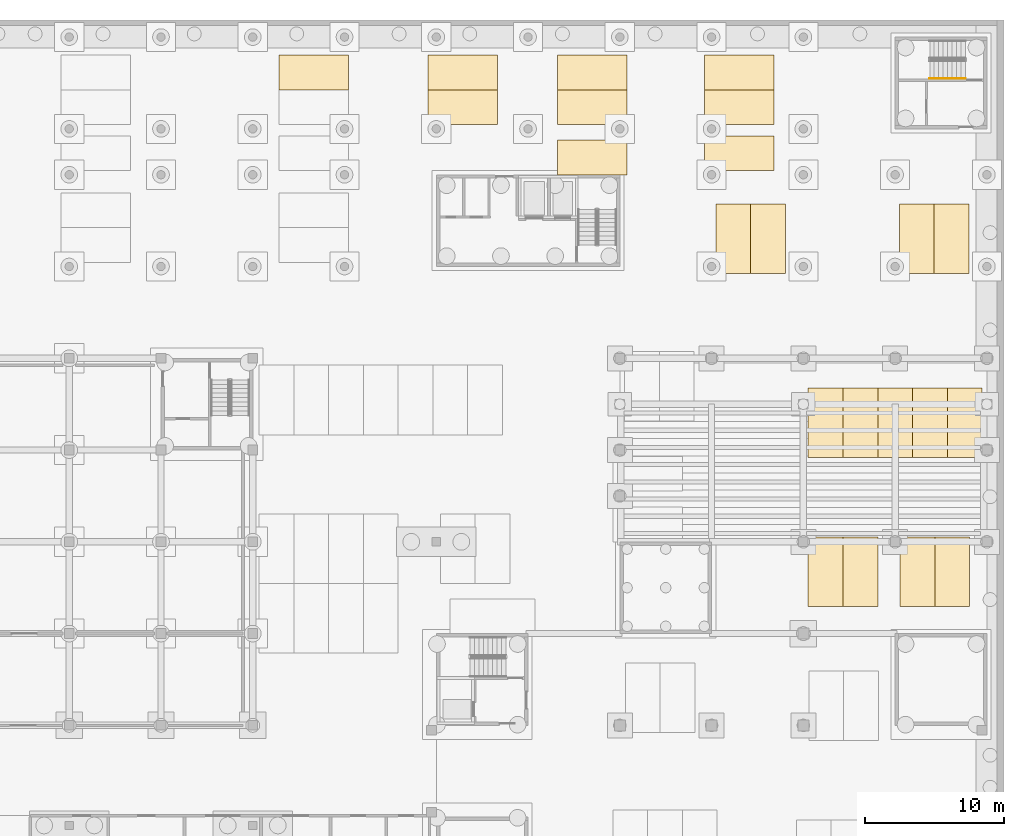
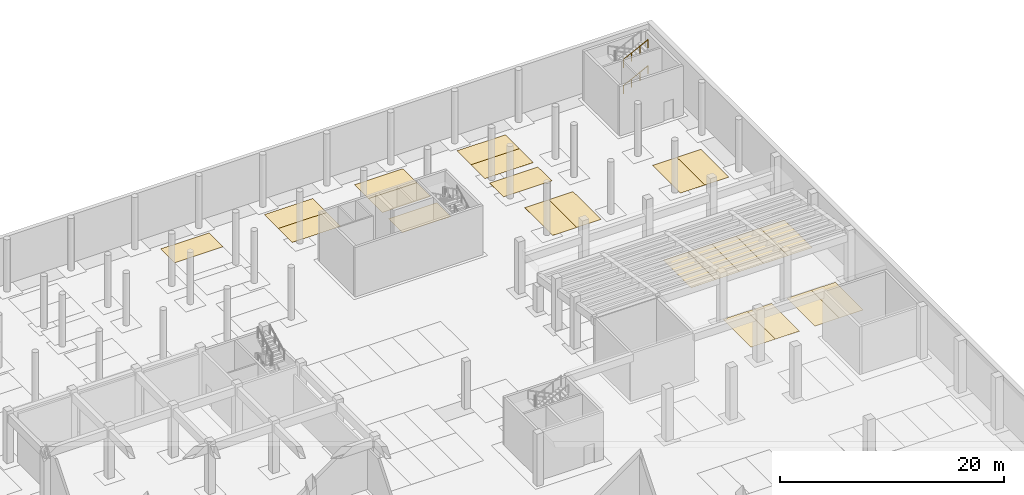
# One storey, part 36 of 38: 22 coverings, 2 railings.
"""IFC4 building model written with IfcOpenShell, lengths in metres."""

import ifcopenshell
import ifcopenshell.guid

model = None  # the IFC model being written
_history = None  # IfcOwnerHistory: only IFC2X3 demands one
_inside = {}  # id of a spatial element -> (the spatial element, [elements in it])
_under = {}  # id of a project, library or spatial element -> (it, [spatial elements below it])
_declared = {}  # id of a project -> (the project, [libraries it declares])
_typed = {}  # id of a type object -> (the type object, [elements of that type])
_made_of = {}  # id of a material, layer set ... -> (it, [elements and type objects made of it])


def new_model(schema):
    """Start an empty IFC model of exactly this schema.

    Asked for "IFC4X3", IfcOpenShell would pick the latest addendum, in which some entities
    have other attributes; the version numbers below select the first issue.
    IFC2X3 requires an IfcOwnerHistory on every rooted entity: one is made here for all.
    """
    global model, _history
    if schema == "IFC4X3":
        model = ifcopenshell.file(schema_version=(4, 3, 0, 0))
    else:
        model = ifcopenshell.file(schema=schema)
    _inside.clear()
    _under.clear()
    _declared.clear()
    _typed.clear()
    _made_of.clear()
    _history = None
    if model.schema == "IFC2X3":
        org = make("IfcOrganization", Name="unknown")
        user = make(
            "IfcPersonAndOrganization",
            ThePerson=make("IfcPerson", FamilyName="unknown"),
            TheOrganization=org,
        )
        app = make(
            "IfcApplication",
            ApplicationDeveloper=org,
            Version="unknown",
            ApplicationFullName="unknown",
            ApplicationIdentifier="unknown",
        )
        _history = make(
            "IfcOwnerHistory",
            OwningUser=user,
            OwningApplication=app,
            ChangeAction="ADDED",
            CreationDate=0,
        )
    return model


def make(cls, **values):
    """One entity of the class cls with the attributes given. An attribute that is None is left unset."""
    return model.create_entity(
        cls, **{name: value for name, value in values.items() if value is not None}
    )


def rooted(cls, **values):
    """An entity with a GlobalId (a new one), such as an element, a storey or a relation."""
    return make(cls, GlobalId=ifcopenshell.guid.new(), OwnerHistory=_history, **values)


def si_unit(unit_type, name, prefix=None):
    """IfcSIUnit, for example si_unit("LENGTHUNIT", "METRE", prefix="MILLI")."""
    return make("IfcSIUnit", UnitType=unit_type, Prefix=prefix, Name=name)


def assignment(units):
    """IfcUnitAssignment: the units of a project."""
    return None if units is None else make("IfcUnitAssignment", Units=units)


def point(xyz):
    """IfcCartesianPoint."""
    return None if xyz is None else make("IfcCartesianPoint", Coordinates=xyz)


def direction(xyz):
    """IfcDirection."""
    return None if xyz is None else make("IfcDirection", DirectionRatios=xyz)


def frame(location, z_axis=None, x_axis=None):
    """IfcAxis2Placement3D, a coordinate frame: its origin and axes. An axis left out is left unset."""
    return make(
        "IfcAxis2Placement3D",
        Location=point(location),
        Axis=direction(z_axis),
        RefDirection=direction(x_axis),
    )


def frame_2d(location, x_axis=None):
    """IfcAxis2Placement2D, a coordinate frame in the plane: its origin and x axis."""
    return make(
        "IfcAxis2Placement2D", Location=point(location), RefDirection=direction(x_axis)
    )


def origin():
    """The frame at (0, 0, 0) with its axes left unset."""
    return frame((0.0, 0.0, 0.0))


def origin_2d():
    """The frame at (0, 0) in the plane with its x axis left unset."""
    return frame_2d((0.0, 0.0))


def place(relative_to, where):
    """IfcLocalPlacement: puts the frame where relative to a parent placement (None: the world)."""
    return make(
        "IfcLocalPlacement", PlacementRelTo=relative_to, RelativePlacement=where
    )


def context(
    kind, dimensions, precision=None, world=None, true_north=None, identifier=None
):
    """IfcGeometricRepresentationContext, for example the 3D "Model" context."""
    return make(
        "IfcGeometricRepresentationContext",
        ContextIdentifier=identifier,
        ContextType=kind,
        CoordinateSpaceDimension=dimensions,
        Precision=precision,
        WorldCoordinateSystem=world,
        TrueNorth=true_north,
    )


def subcontext(parent, identifier, kind, view, scale=None):
    """IfcGeometricRepresentationSubContext, for example "Body" below "Model"."""
    return make(
        "IfcGeometricRepresentationSubContext",
        ContextIdentifier=identifier,
        ContextType=kind,
        ParentContext=parent,
        TargetScale=scale,
        TargetView=view,
    )


def project(units=None, contexts=None):
    """IfcProject with its units and contexts."""
    return rooted(
        "IfcProject",
        Name="project",
        RepresentationContexts=contexts,
        UnitsInContext=assignment(units),
    )


def spatial(cls, under=None, at=None, **own):
    """A site, building, storey or space (cls), placed at a placement, below another one or the project."""
    s = rooted(cls, ObjectPlacement=at, **own)
    if under is not None:
        _under.setdefault(under.id(), (under, []))[1].append(s)
    return s


def polyline(points):
    """IfcPolyline through the points."""
    return make("IfcPolyline", Points=[point(p) for p in points])


def profile(cls, at=None, kind="AREA", **sizes):
    """A parametric profile (cls). Its sizes go by their IFC names, for example OverallWidth=200.0."""
    return make(cls, ProfileType=kind, Position=at, **sizes)


def circle(**sizes):
    """IfcCircleProfileDef."""
    return profile("IfcCircleProfileDef", **sizes)


def outline(outer, holes=None, kind="AREA"):
    """IfcArbitraryClosedProfileDef: a profile drawn as a closed curve; with holes, ...WithVoids."""
    if holes is None:
        return make("IfcArbitraryClosedProfileDef", ProfileType=kind, OuterCurve=outer)
    return make(
        "IfcArbitraryProfileDefWithVoids",
        ProfileType=kind,
        OuterCurve=outer,
        InnerCurves=holes,
    )


def extrude(swept, where, along, depth):
    """IfcExtrudedAreaSolid: the profile swept, set in the frame where, extruded along a direction by depth."""
    return make(
        "IfcExtrudedAreaSolid",
        SweptArea=swept,
        Position=where,
        ExtrudedDirection=direction(along),
        Depth=depth,
    )


def shape(context_of_items, identifier, shape_type, items):
    """IfcShapeRepresentation: the items that make up one representation, for example the "Body"."""
    return make(
        "IfcShapeRepresentation",
        ContextOfItems=context_of_items,
        RepresentationIdentifier=identifier,
        RepresentationType=shape_type,
        Items=items,
    )


def material(Name=None, Category=None):
    """IfcMaterial."""
    return make("IfcMaterial", Name=Name, Category=Category)


def layer(
    of_material, thickness, ventilated=None, Name=None, Category=None, Priority=None
):
    """IfcMaterialLayer: one layer of a wall or slab, of a material (None: an air gap)."""
    return make(
        "IfcMaterialLayer",
        Material=of_material,
        LayerThickness=thickness,
        IsVentilated=ventilated,
        Name=Name,
        Category=Category,
        Priority=Priority,
    )


def layer_set(layers, Name=None):
    """IfcMaterialLayerSet."""
    return make("IfcMaterialLayerSet", MaterialLayers=layers, LayerSetName=Name)


def made_of(thing, what):
    """Note that an element or type object is made of a material, layer set ...; save() writes the relation."""
    if what is not None:
        _made_of.setdefault(what.id(), (what, []))[1].append(thing)
    return thing


def type_object(cls, material=None, **own):
    """A type object (cls), such as IfcWallType, which elements share."""
    return made_of(rooted(cls, **own), material)


def element(
    cls,
    number,
    at=None,
    inside=None,
    cuts=None,
    type_object=None,
    material=None,
    context=None,
    identifier="Body",
    shape_type=None,
    held_by="IfcProductDefinitionShape",
    body=None,
    shapes=None,
    **own,
):
    """One element of the class cls, such as IfcWall. Its Tag is "e" and its number.

    at: its placement. inside: the storey or other place that contains it. cuts: it is an
    opening in that element (IfcRelVoidsElement). A single representation is given by context,
    identifier, shape_type and body (its items); several are given by shapes. held_by: the class
    of the entity that holds the representations. save() writes the other relations.
    """
    e = rooted(cls, Tag="e%d" % number, ObjectPlacement=at, **own)
    if body is not None:
        shapes = [shape(context, identifier, shape_type, body)]
    if shapes is not None:
        e.Representation = make(held_by, Representations=shapes)
    if inside is not None:
        _inside.setdefault(inside.id(), (inside, []))[1].append(e)
    if cuts is not None:
        rooted(
            "IfcRelVoidsElement", RelatingBuildingElement=cuts, RelatedOpeningElement=e
        )
    if type_object is not None:
        _typed.setdefault(type_object.id(), (type_object, []))[1].append(e)
    return made_of(e, material)


def aggregate(whole, parts):
    """IfcRelAggregates: a whole, such as a stair, and the parts it consists of."""
    return rooted("IfcRelAggregates", RelatingObject=whole, RelatedObjects=parts)


def save(model, path):
    """Write the relations noted so far, then the file.

    IfcRelAggregates (storeys below a building ...), IfcRelContainedInSpatialStructure (elements
    in a storey), IfcRelDefinesByType, IfcRelAssociatesMaterial and IfcRelDeclares: one each for
    every whole, place, type object, material and project.
    """
    for whole, parts in _under.values():
        aggregate(whole, parts)
    for where, things in _inside.values():
        rooted(
            "IfcRelContainedInSpatialStructure",
            RelatedElements=things,
            RelatingStructure=where,
        )
    for kind, things in _typed.values():
        rooted("IfcRelDefinesByType", RelatedObjects=things, RelatingType=kind)
    for what, things in _made_of.values():
        rooted("IfcRelAssociatesMaterial", RelatedObjects=things, RelatingMaterial=what)
    for by, libraries in _declared.values():
        rooted("IfcRelDeclares", RelatingContext=by, RelatedDefinitions=libraries)
    model.write(path)


model = new_model("IFC4")

# Units and contexts
model_context = context("Model", 3, precision=1e-05, world=origin(), true_north=direction((0.0, 1.0)))
body_context = subcontext(model_context, "Body", "Model", "MODEL_VIEW")
ifc_project = project(units=[si_unit("LENGTHUNIT", "METRE"), si_unit("AREAUNIT", "SQUARE_METRE"), si_unit("VOLUMEUNIT", "CUBIC_METRE"), si_unit("PLANEANGLEUNIT", "RADIAN"), si_unit("MASSUNIT", "GRAM", prefix="KILO")], contexts=[model_context])

# Site, building, storey
site_placement = place(None, origin())
site = spatial("IfcSite", under=ifc_project, at=site_placement, CompositionType="ELEMENT")
building_placement = place(site_placement, origin())
building = spatial("IfcBuilding", under=site, at=building_placement, Name="Lantern Court Research Institute", CompositionType="ELEMENT")
storey_placement = place(building_placement, frame((0.0, 0.0, -5.699951171875)))
storey = spatial("IfcBuildingStorey", under=building, at=storey_placement, Name="B1", CompositionType="ELEMENT", Elevation=-5.699951171875)

# Coverings
ifc_material_1 = material(Name="Thermoplastic road marking paint")
ifc_layer_1 = layer(ifc_material_1, 0.0029296875)
ifc_layer_set_1 = layer_set([ifc_layer_1], Name="Thermoplastic road marking paint")
covering_type_1 = type_object("IfcCoveringType", Name="Electric vehicle parking bay marking", PredefinedType="FLOORING", material=ifc_layer_set_1)
covering_1_placement = place(storey_placement, origin())
element("IfcCovering", 1, at=covering_1_placement, inside=storey, type_object=covering_type_1, Name="Electric vehicle parking bay marking 06", PredefinedType="FLOORING", context=body_context, shape_type="SweptSolid", body=[
    extrude(outline(polyline([(48.300048828125, 89.10009765625), (53.300048828125, 89.10009765625), (53.300048828125, 91.60009765625), (48.300048828125, 91.60009765625), (48.300048828125, 89.10009765625)])), origin(), (0.0, 0.0, 1.0), 0.0029296875),
])
ifc_material_2 = material(Name="Thermoplastic road marking paint")
ifc_layer_2 = layer(ifc_material_2, 0.0029296875)
ifc_layer_set_2 = layer_set([ifc_layer_2], Name="Thermoplastic road marking paint")
covering_type_2 = type_object("IfcCoveringType", Name="Parking bay marking", PredefinedType="FLOORING", material=ifc_layer_set_2)
covering_2_placement = place(storey_placement, origin())
element("IfcCovering", 2, at=covering_2_placement, inside=storey, type_object=covering_type_2, Name="Parking bay marking 084", PredefinedType="FLOORING", context=body_context, shape_type="SweptSolid", body=[
    extrude(outline(polyline([(66.35009765625, 58.050048828125), (68.85009765625, 58.050048828125), (68.85009765625, 63.050048828125), (66.35009765625, 63.050048828125), (66.35009765625, 58.050048828125)])), origin(), (0.0, 0.0, 1.0), 0.0029296875),
])
covering_3_placement = place(storey_placement, origin())
element("IfcCovering", 3, at=covering_3_placement, inside=storey, type_object=covering_type_2, Name="Parking bay marking 085", PredefinedType="FLOORING", context=body_context, shape_type="SweptSolid", body=[
    extrude(outline(polyline([(68.85009765625, 58.050048828125), (71.35009765625, 58.050048828125), (71.35009765625, 63.050048828125), (68.85009765625, 63.050048828125), (68.85009765625, 58.050048828125)])), origin(), (0.0, 0.0, 1.0), 0.0029296875),
])
covering_4_placement = place(storey_placement, origin())
element("IfcCovering", 4, at=covering_4_placement, inside=storey, type_object=covering_type_2, Name="Parking bay marking 086", PredefinedType="FLOORING", context=body_context, shape_type="SweptSolid", body=[
    extrude(outline(polyline([(72.949951171875, 58.050048828125), (75.449951171875, 58.050048828125), (75.449951171875, 63.050048828125), (72.949951171875, 63.050048828125), (72.949951171875, 58.050048828125)])), origin(), (0.0, 0.0, 1.0), 0.0029296875),
])
covering_5_placement = place(storey_placement, origin())
element("IfcCovering", 5, at=covering_5_placement, inside=storey, type_object=covering_type_2, Name="Parking bay marking 087", PredefinedType="FLOORING", context=body_context, shape_type="SweptSolid", body=[
    extrude(outline(polyline([(75.449951171875, 58.050048828125), (77.949951171875, 58.050048828125), (77.949951171875, 63.050048828125), (75.449951171875, 63.050048828125), (75.449951171875, 58.050048828125)])), origin(), (0.0, 0.0, 1.0), 0.0029296875),
])
covering_6_placement = place(storey_placement, origin())
element("IfcCovering", 6, at=covering_6_placement, inside=storey, type_object=covering_type_2, Name="Parking bay marking 095", PredefinedType="FLOORING", context=body_context, shape_type="SweptSolid", body=[
    extrude(outline(polyline([(66.35009765625, 68.75), (68.85009765625, 68.75), (68.85009765625, 73.75), (66.35009765625, 73.75), (66.35009765625, 68.75)])), origin(), (0.0, 0.0, 1.0), 0.0029296875),
])
covering_7_placement = place(storey_placement, origin())
element("IfcCovering", 7, at=covering_7_placement, inside=storey, type_object=covering_type_2, Name="Parking bay marking 096", PredefinedType="FLOORING", context=body_context, shape_type="SweptSolid", body=[
    extrude(outline(polyline([(68.85009765625, 68.75), (71.35009765625, 68.75), (71.35009765625, 73.75), (68.85009765625, 73.75), (68.85009765625, 68.75)])), origin(), (0.0, 0.0, 1.0), 0.0029296875),
])
covering_8_placement = place(storey_placement, origin())
element("IfcCovering", 8, at=covering_8_placement, inside=storey, type_object=covering_type_2, Name="Parking bay marking 097", PredefinedType="FLOORING", context=body_context, shape_type="SweptSolid", body=[
    extrude(outline(polyline([(71.35009765625, 68.75), (73.85009765625, 68.75), (73.85009765625, 73.75), (71.35009765625, 73.75), (71.35009765625, 68.75)])), origin(), (0.0, 0.0, 1.0), 0.0029296875),
])
covering_9_placement = place(storey_placement, origin())
element("IfcCovering", 9, at=covering_9_placement, inside=storey, type_object=covering_type_2, Name="Parking bay marking 098", PredefinedType="FLOORING", context=body_context, shape_type="SweptSolid", body=[
    extrude(outline(polyline([(73.85009765625, 68.75), (76.35009765625, 68.75), (76.35009765625, 73.75), (73.85009765625, 73.75), (73.85009765625, 68.75)])), origin(), (0.0, 0.0, 1.0), 0.0029296875),
])
covering_10_placement = place(storey_placement, origin())
element("IfcCovering", 10, at=covering_10_placement, inside=storey, type_object=covering_type_2, Name="Parking bay marking 099", PredefinedType="FLOORING", context=body_context, shape_type="SweptSolid", body=[
    extrude(outline(polyline([(76.35009765625, 68.75), (78.85009765625, 68.75), (78.85009765625, 73.75), (76.35009765625, 73.75), (76.35009765625, 68.75)])), origin(), (0.0, 0.0, 1.0), 0.0029296875),
])
covering_11_placement = place(storey_placement, origin())
element("IfcCovering", 11, at=covering_11_placement, inside=storey, type_object=covering_type_2, Name="Parking bay marking 113", PredefinedType="FLOORING", context=body_context, shape_type="SweptSolid", body=[
    extrude(outline(polyline([(59.699951171875, 82.0), (62.199951171875, 82.0), (62.199951171875, 87.0), (59.699951171875, 87.0), (59.699951171875, 82.0)])), origin(), (0.0, 0.0, 1.0), 0.0029296875),
])
covering_12_placement = place(storey_placement, origin())
element("IfcCovering", 12, at=covering_12_placement, inside=storey, type_object=covering_type_2, Name="Parking bay marking 114", PredefinedType="FLOORING", context=body_context, shape_type="SweptSolid", body=[
    extrude(outline(polyline([(62.199951171875, 82.0), (64.699951171875, 82.0), (64.699951171875, 87.0), (62.199951171875, 87.0), (62.199951171875, 82.0)])), origin(), (0.0, 0.0, 1.0), 0.0029296875),
])
covering_13_placement = place(storey_placement, origin())
element("IfcCovering", 13, at=covering_13_placement, inside=storey, type_object=covering_type_2, Name="Parking bay marking 115", PredefinedType="FLOORING", context=body_context, shape_type="SweptSolid", body=[
    extrude(outline(polyline([(72.89990234375, 82.0), (75.39990234375, 82.0), (75.39990234375, 87.0), (72.89990234375, 87.0), (72.89990234375, 82.0)])), origin(), (0.0, 0.0, 1.0), 0.0029296875),
])
covering_14_placement = place(storey_placement, origin())
element("IfcCovering", 14, at=covering_14_placement, inside=storey, type_object=covering_type_2, Name="Parking bay marking 116", PredefinedType="FLOORING", context=body_context, shape_type="SweptSolid", body=[
    extrude(outline(polyline([(75.39990234375, 82.0), (77.89990234375, 82.0), (77.89990234375, 87.0), (75.39990234375, 87.0), (75.39990234375, 82.0)])), origin(), (0.0, 0.0, 1.0), 0.0029296875),
])
covering_15_placement = place(storey_placement, origin())
element("IfcCovering", 15, at=covering_15_placement, inside=storey, type_object=covering_type_2, Name="Parking bay marking 125", PredefinedType="FLOORING", context=body_context, shape_type="SweptSolid", body=[
    extrude(outline(polyline([(58.89990234375, 89.39990234375), (63.89990234375, 89.39990234375), (63.89990234375, 91.89990234375), (58.89990234375, 91.89990234375), (58.89990234375, 89.39990234375)])), origin(), (0.0, 0.0, 1.0), 0.0029296875),
])
covering_16_placement = place(storey_placement, origin())
element("IfcCovering", 16, at=covering_16_placement, inside=storey, type_object=covering_type_2, Name="Parking bay marking 128", PredefinedType="FLOORING", context=body_context, shape_type="SweptSolid", body=[
    extrude(outline(polyline([(39.0, 92.699951171875), (44.0, 92.699951171875), (44.0, 95.199951171875), (39.0, 95.199951171875), (39.0, 92.699951171875)])), origin(), (0.0, 0.0, 1.0), 0.0029296875),
])
covering_17_placement = place(storey_placement, origin())
element("IfcCovering", 17, at=covering_17_placement, inside=storey, type_object=covering_type_2, Name="Parking bay marking 129", PredefinedType="FLOORING", context=body_context, shape_type="SweptSolid", body=[
    extrude(outline(polyline([(48.300048828125, 92.699951171875), (53.300048828125, 92.699951171875), (53.300048828125, 95.199951171875), (48.300048828125, 95.199951171875), (48.300048828125, 92.699951171875)])), origin(), (0.0, 0.0, 1.0), 0.0029296875),
])
covering_18_placement = place(storey_placement, origin())
element("IfcCovering", 18, at=covering_18_placement, inside=storey, type_object=covering_type_2, Name="Parking bay marking 130", PredefinedType="FLOORING", context=body_context, shape_type="SweptSolid", body=[
    extrude(outline(polyline([(58.89990234375, 92.699951171875), (63.89990234375, 92.699951171875), (63.89990234375, 95.199951171875), (58.89990234375, 95.199951171875), (58.89990234375, 92.699951171875)])), origin(), (0.0, 0.0, 1.0), 0.0029296875),
])
covering_19_placement = place(storey_placement, origin())
element("IfcCovering", 19, at=covering_19_placement, inside=storey, type_object=covering_type_2, Name="Parking bay marking 132", PredefinedType="FLOORING", context=body_context, shape_type="SweptSolid", body=[
    extrude(outline(polyline([(28.300048828125, 95.199951171875), (33.300048828125, 95.199951171875), (33.300048828125, 97.699951171875), (28.300048828125, 97.699951171875), (28.300048828125, 95.199951171875)])), origin(), (0.0, 0.0, 1.0), 0.0029296875),
])
covering_20_placement = place(storey_placement, origin())
element("IfcCovering", 20, at=covering_20_placement, inside=storey, type_object=covering_type_2, Name="Parking bay marking 133", PredefinedType="FLOORING", context=body_context, shape_type="SweptSolid", body=[
    extrude(outline(polyline([(39.0, 95.199951171875), (44.0, 95.199951171875), (44.0, 97.699951171875), (39.0, 97.699951171875), (39.0, 95.199951171875)])), origin(), (0.0, 0.0, 1.0), 0.0029296875),
])
covering_21_placement = place(storey_placement, origin())
element("IfcCovering", 21, at=covering_21_placement, inside=storey, type_object=covering_type_2, Name="Parking bay marking 134", PredefinedType="FLOORING", context=body_context, shape_type="SweptSolid", body=[
    extrude(outline(polyline([(48.300048828125, 95.199951171875), (53.300048828125, 95.199951171875), (53.300048828125, 97.699951171875), (48.300048828125, 97.699951171875), (48.300048828125, 95.199951171875)])), origin(), (0.0, 0.0, 1.0), 0.0029296875),
])
covering_22_placement = place(storey_placement, origin())
element("IfcCovering", 22, at=covering_22_placement, inside=storey, type_object=covering_type_2, Name="Parking bay marking 135", PredefinedType="FLOORING", context=body_context, shape_type="SweptSolid", body=[
    extrude(outline(polyline([(58.89990234375, 95.199951171875), (63.89990234375, 95.199951171875), (63.89990234375, 97.699951171875), (58.89990234375, 97.699951171875), (58.89990234375, 95.199951171875)])), origin(), (0.0, 0.0, 1.0), 0.0029296875),
])

# Railings
ifc_material_3 = material(Name="Stainless steel 316", Category="steel")
railing_type = type_object("IfcRailingType", Name="Stair handrail 900 steel", PredefinedType="HANDRAIL", material=ifc_material_3)
for number, where, name in (
    (23, (75.090087890625, 96.02490234375, 1.583251953125), "B1 ST-W3 stair handrail 2"),
    (24, (75.090087890625, 96.02490234375, 4.433349609375), "B1 ST-W3 stair handrail 4"),
):
    element("IfcRailing", number, at=place(storey_placement, frame(where)), inside=storey, type_object=railing_type, Name=name, PredefinedType="HANDRAIL", context=body_context, shape_type="SweptSolid", body=[
        extrude(circle(Radius=0.02392578125, at=origin_2d()), frame((0.0, 0.0, 0.8759765625), z_axis=(0.896282942063, 0.0, 0.443482680346), x_axis=(0.0, 1.0, 0.0)), (0.0, 0.0, 1.0), 2.85595703125),
        extrude(circle(Radius=0.02099609375, at=origin_2d()), origin(), (0.0, 0.0, 1.0), 0.851806640625),
        extrude(circle(Radius=0.02099609375, at=origin_2d()), frame((0.853271484375, 0.0, 0.422119140625)), (0.0, 0.0, 1.0), 0.851806640625),
        extrude(circle(Radius=0.02099609375, at=origin_2d()), frame((1.70654296875, 0.0, 0.844482421875)), (0.0, 0.0, 1.0), 0.851806640625),
        extrude(circle(Radius=0.02099609375, at=origin_2d()), frame((2.559814453125, 0.0, 1.2666015625)), (0.0, 0.0, 1.0), 0.851806640625),
    ])

save(model, "model.ifc")
